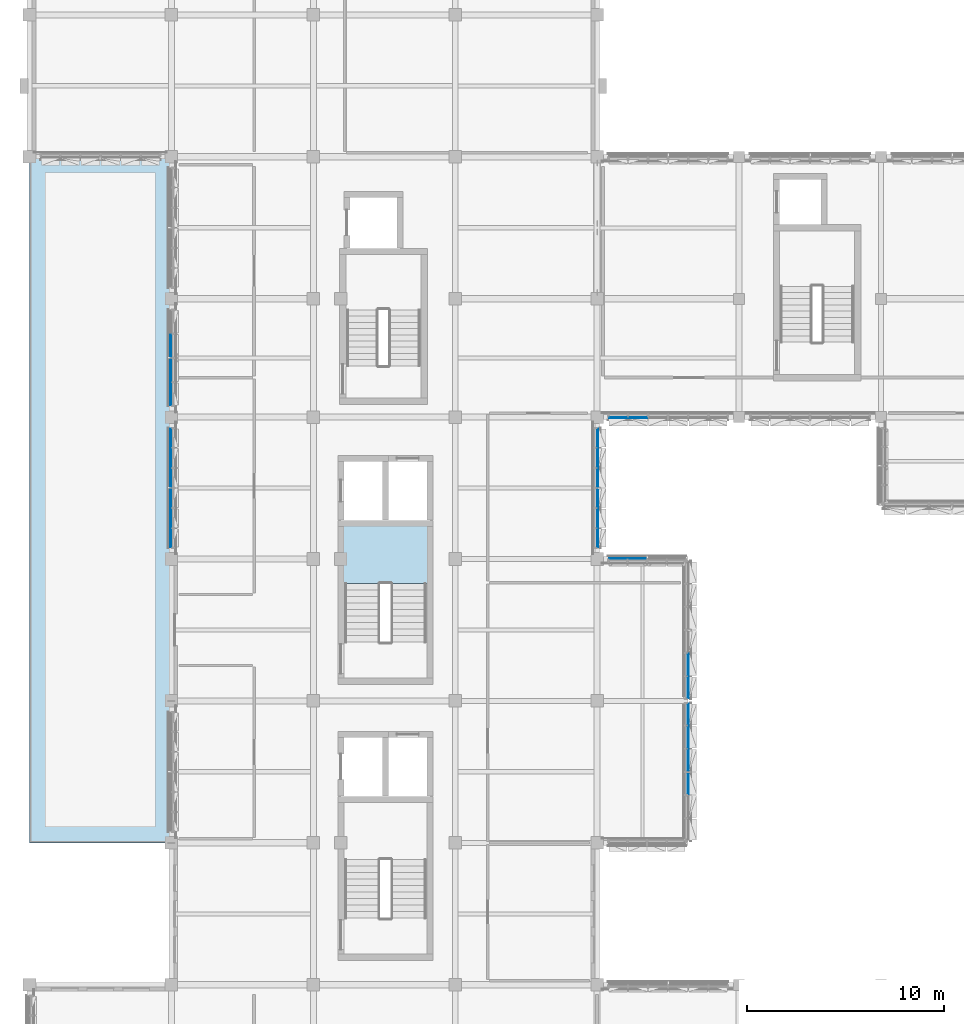
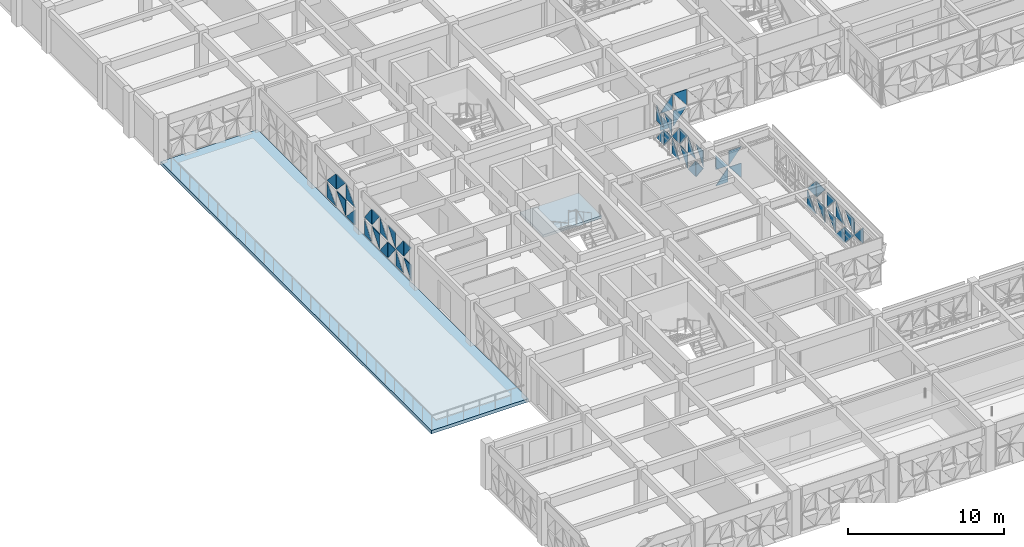
# One storey, part 33 of 85: 49 plates, 2 slabs, 8 elements without a shape of their own.
"""IFC4 building model written with IfcOpenShell, lengths in metres."""

from ifc_helpers import new_model, si_unit, direction, frame, origin, place, context, subcontext, project, spatial, polyline, outline, extrude, material, layer, layer_set, type_object, element, aggregate, save


model = new_model("IFC4")

# Units and contexts
model_context = context("Model", 3, precision=1e-05, world=origin(), true_north=direction((0.0, 1.0)))
body_context = subcontext(model_context, "Body", "Model", "MODEL_VIEW")
ifc_project = project(units=[si_unit("LENGTHUNIT", "METRE"), si_unit("AREAUNIT", "SQUARE_METRE"), si_unit("VOLUMEUNIT", "CUBIC_METRE"), si_unit("PLANEANGLEUNIT", "RADIAN"), si_unit("MASSUNIT", "GRAM", prefix="KILO")], contexts=[model_context])

# Site, building, storey
site_placement = place(None, origin())
site = spatial("IfcSite", under=ifc_project, at=site_placement, CompositionType="ELEMENT")
building_placement = place(site_placement, origin())
building = spatial("IfcBuilding", under=site, at=building_placement, Name="Alvorim Cloister Faculty of Sciences", CompositionType="ELEMENT")
storey_placement = place(building_placement, frame((0.0, 0.0, 8.550048828125)))
storey = spatial("IfcBuildingStorey", under=building, at=storey_placement, Name="L02", CompositionType="ELEMENT", Elevation=8.550048828125)

# Curtain wall, plates
ifc_material_1 = material(Name="Aluminium and Low-E Glass Curtain Wall", Category="aluminium")
curtain_wall_type_1 = type_object("IfcCurtainWallType", Name="CW-TRI-6120x2850", PredefinedType="USERDEFINED", material=ifc_material_1)
curtain_wall_1_placement = place(storey_placement, origin())
curtain_wall_1 = element("IfcCurtainWall", 1, at=curtain_wall_1_placement, inside=storey, type_object=curtain_wall_type_1, Name="L02 Diagonal Cassette Curtain Wall CW-0052", ObjectType="UNITISED CURTAIN WALL", PredefinedType="USERDEFINED")
ifc_material_2 = material(Name="Double Low-E Laminated Glass", Category="glass")
ifc_layer_1 = layer(ifc_material_2, 0.0400390625)
ifc_layer_set_1 = layer_set([ifc_layer_1], Name="Double Low-E Laminated Glass")
plate_type = type_object("IfcPlateType", Name="PN-GLZ-40", PredefinedType="CURTAIN_PANEL", material=ifc_layer_set_1)
plate_1_placement = place(storey_placement, frame((7.175048828125, 36.60498046875, 0.139892578125), z_axis=(0.0, 0.0, 1.0), x_axis=(0.0, 1.0, 0.0)))
plate_1 = element("IfcPlate", 2, at=plate_1_placement, type_object=plate_type, Name="Diagonal Glazed Triangle TRI-TL", PredefinedType="CURTAIN_PANEL", context=body_context, shape_type="SweptSolid", body=[
    extrude(outline(polyline([(0.920654296875, 1.215087890625), (0.0, 1.215087890625), (0.0, 0.001953125), (0.920654296875, 1.215087890625)])), frame((0.0, 0.02490234375, 0.0), z_axis=(0.0, -1.0, 0.0), x_axis=(1.0, 0.0, 0.0)), (0.0, 0.0, 1.0), 0.050048828125),
])
plate_2_placement = place(storey_placement, frame((7.175048828125, 36.60498046875, 1.494873046875), z_axis=(0.0, 0.0, 1.0), x_axis=(0.0, 1.0, 0.0)))
plate_2 = element("IfcPlate", 3, at=plate_2_placement, type_object=plate_type, Name="Diagonal Glazed Triangle TRI-TR", PredefinedType="CURTAIN_PANEL", context=body_context, shape_type="SweptSolid", body=[
    extrude(outline(polyline([(0.922607421875, 0.001953125), (0.922607421875, 1.215087890625), (0.001953125, 1.215087890625), (0.922607421875, 0.001953125)])), frame((0.0, 0.02490234375, 0.0), z_axis=(0.0, -1.0, 0.0), x_axis=(1.0, 0.0, 0.0)), (0.0, 0.0, 1.0), 0.050048828125),
])
plate_3_placement = place(storey_placement, frame((7.175048828125, 37.592529296875, 0.139892578125), z_axis=(0.0, 0.0, 1.0), x_axis=(0.0, 1.0, 0.0)))
plate_3 = element("IfcPlate", 4, at=plate_3_placement, type_object=plate_type, Name="Diagonal Glazed Triangle TRI-BR", PredefinedType="CURTAIN_PANEL", context=body_context, shape_type="SweptSolid", body=[
    extrude(outline(polyline([(0.001953125, 0.0), (0.955078125, 0.0), (0.955078125, 1.213134765625), (0.001953125, 0.0)])), frame((0.0, 0.02490234375, 0.0), z_axis=(0.0, -1.0, 0.0), x_axis=(1.0, 0.0, 0.0)), (0.0, 0.0, 1.0), 0.050048828125),
])
plate_4_placement = place(storey_placement, frame((7.175048828125, 37.592529296875, 1.494873046875), z_axis=(0.0, 0.0, 1.0), x_axis=(0.0, 1.0, 0.0)))
plate_4 = element("IfcPlate", 5, at=plate_4_placement, type_object=plate_type, Name="Diagonal Glazed Triangle TRI-BL", PredefinedType="CURTAIN_PANEL", context=body_context, shape_type="SweptSolid", body=[
    extrude(outline(polyline([(0.0, 0.0), (0.953125, 0.0), (0.0, 1.213134765625), (0.0, 0.0)])), frame((0.0, 0.02490234375, 0.0), z_axis=(0.0, -1.0, 0.0), x_axis=(1.0, 0.0, 0.0)), (0.0, 0.0, 1.0), 0.050048828125),
])
plate_5_placement = place(storey_placement, frame((7.175048828125, 38.612548828125, 0.139892578125), z_axis=(0.0, 0.0, 1.0), x_axis=(0.0, 1.0, 0.0)))
plate_5 = element("IfcPlate", 6, at=plate_5_placement, type_object=plate_type, Name="Diagonal Glazed Triangle TRI-TR", PredefinedType="CURTAIN_PANEL", context=body_context, shape_type="SweptSolid", body=[
    extrude(outline(polyline([(0.955078125, 0.001953125), (0.955078125, 1.215087890625), (0.001953125, 1.215087890625), (0.955078125, 0.001953125)])), frame((0.0, 0.02490234375, 0.0), z_axis=(0.0, -1.0, 0.0), x_axis=(1.0, 0.0, 0.0)), (0.0, 0.0, 1.0), 0.050048828125),
])
plate_6_placement = place(storey_placement, frame((7.175048828125, 38.612548828125, 1.494873046875), z_axis=(0.0, 0.0, 1.0), x_axis=(0.0, 1.0, 0.0)))
plate_6 = element("IfcPlate", 7, at=plate_6_placement, type_object=plate_type, Name="Diagonal Glazed Triangle TRI-TL", PredefinedType="CURTAIN_PANEL", context=body_context, shape_type="SweptSolid", body=[
    extrude(outline(polyline([(0.953125, 1.215087890625), (0.0, 1.215087890625), (0.0, 0.001953125), (0.953125, 1.215087890625)])), frame((0.0, 0.02490234375, 0.0), z_axis=(0.0, -1.0, 0.0), x_axis=(1.0, 0.0, 0.0)), (0.0, 0.0, 1.0), 0.050048828125),
])
plate_7_placement = place(storey_placement, frame((7.175048828125, 39.632568359375, 0.139892578125), z_axis=(0.0, 0.0, 1.0), x_axis=(0.0, 1.0, 0.0)))
plate_7 = element("IfcPlate", 8, at=plate_7_placement, type_object=plate_type, Name="Diagonal Glazed Triangle TRI-BL", PredefinedType="CURTAIN_PANEL", context=body_context, shape_type="SweptSolid", body=[
    extrude(outline(polyline([(0.0, 0.0), (0.953125, 0.0), (0.0, 1.213134765625), (0.0, 0.0)])), frame((0.0, 0.02490234375, 0.0), z_axis=(0.0, -1.0, 0.0), x_axis=(1.0, 0.0, 0.0)), (0.0, 0.0, 1.0), 0.050048828125),
])
plate_8_placement = place(storey_placement, frame((7.175048828125, 39.632568359375, 1.494873046875), z_axis=(0.0, 0.0, 1.0), x_axis=(0.0, 1.0, 0.0)))
plate_8 = element("IfcPlate", 9, at=plate_8_placement, type_object=plate_type, Name="Diagonal Glazed Triangle TRI-BR", PredefinedType="CURTAIN_PANEL", context=body_context, shape_type="SweptSolid", body=[
    extrude(outline(polyline([(0.001953125, 0.0), (0.955078125, 0.0), (0.955078125, 1.213134765625), (0.001953125, 0.0)])), frame((0.0, 0.02490234375, 0.0), z_axis=(0.0, -1.0, 0.0), x_axis=(1.0, 0.0, 0.0)), (0.0, 0.0, 1.0), 0.050048828125),
])
plate_9_placement = place(storey_placement, frame((7.175048828125, 40.652587890625, 0.139892578125), z_axis=(0.0, 0.0, 1.0), x_axis=(0.0, 1.0, 0.0)))
plate_9 = element("IfcPlate", 10, at=plate_9_placement, type_object=plate_type, Name="Diagonal Glazed Triangle TRI-TL", PredefinedType="CURTAIN_PANEL", context=body_context, shape_type="SweptSolid", body=[
    extrude(outline(polyline([(0.953125, 1.215087890625), (0.0, 1.215087890625), (0.0, 0.001953125), (0.953125, 1.215087890625)])), frame((0.0, 0.02490234375, 0.0), z_axis=(0.0, -1.0, 0.0), x_axis=(1.0, 0.0, 0.0)), (0.0, 0.0, 1.0), 0.050048828125),
])
plate_10_placement = place(storey_placement, frame((7.175048828125, 40.652587890625, 1.494873046875), z_axis=(0.0, 0.0, 1.0), x_axis=(0.0, 1.0, 0.0)))
plate_10 = element("IfcPlate", 11, at=plate_10_placement, type_object=plate_type, Name="Diagonal Glazed Triangle TRI-TR", PredefinedType="CURTAIN_PANEL", context=body_context, shape_type="SweptSolid", body=[
    extrude(outline(polyline([(0.955078125, 0.001953125), (0.955078125, 1.215087890625), (0.001953125, 1.215087890625), (0.955078125, 0.001953125)])), frame((0.0, 0.02490234375, 0.0), z_axis=(0.0, -1.0, 0.0), x_axis=(1.0, 0.0, 0.0)), (0.0, 0.0, 1.0), 0.050048828125),
])
plate_11_placement = place(storey_placement, frame((7.175048828125, 41.672607421875, 0.139892578125), z_axis=(0.0, 0.0, 1.0), x_axis=(0.0, 1.0, 0.0)))
plate_11 = element("IfcPlate", 12, at=plate_11_placement, type_object=plate_type, Name="Diagonal Glazed Triangle TRI-BR", PredefinedType="CURTAIN_PANEL", context=body_context, shape_type="SweptSolid", body=[
    extrude(outline(polyline([(0.001953125, 0.0), (0.922607421875, 0.0), (0.922607421875, 1.213134765625), (0.001953125, 0.0)])), frame((0.0, 0.02490234375, 0.0), z_axis=(0.0, -1.0, 0.0), x_axis=(1.0, 0.0, 0.0)), (0.0, 0.0, 1.0), 0.050048828125),
])
plate_12_placement = place(storey_placement, frame((7.175048828125, 41.672607421875, 1.494873046875), z_axis=(0.0, 0.0, 1.0), x_axis=(0.0, 1.0, 0.0)))
plate_12 = element("IfcPlate", 13, at=plate_12_placement, type_object=plate_type, Name="Diagonal Glazed Triangle TRI-BL", PredefinedType="CURTAIN_PANEL", context=body_context, shape_type="SweptSolid", body=[
    extrude(outline(polyline([(0.0, 0.0), (0.920654296875, 0.0), (0.0, 1.213134765625), (0.0, 0.0)])), frame((0.0, 0.02490234375, 0.0), z_axis=(0.0, -1.0, 0.0), x_axis=(1.0, 0.0, 0.0)), (0.0, 0.0, 1.0), 0.050048828125),
])
aggregate(curtain_wall_1, [plate_1, plate_2, plate_3, plate_4, plate_5, plate_6, plate_7, plate_8, plate_9, plate_10, plate_11, plate_12])

curtain_wall_type_2 = type_object("IfcCurtainWallType", Name="CW-TRI-4920x2850", PredefinedType="USERDEFINED", material=ifc_material_1)
curtain_wall_2_placement = place(storey_placement, origin())
curtain_wall_2 = element("IfcCurtainWall", 14, at=curtain_wall_2_placement, inside=storey, type_object=curtain_wall_type_2, Name="L02 Diagonal Cassette Curtain Wall CW-0053", ObjectType="UNITISED CURTAIN WALL", PredefinedType="USERDEFINED")
plate_13_placement = place(storey_placement, frame((7.175048828125, 43.804931640625, 0.139892578125), z_axis=(0.0, 0.0, 1.0), x_axis=(0.0, 1.0, 0.0)))
plate_13 = element("IfcPlate", 15, at=plate_13_placement, type_object=plate_type, Name="Diagonal Glazed Triangle TRI-BL", PredefinedType="CURTAIN_PANEL", context=body_context, shape_type="SweptSolid", body=[
    extrude(outline(polyline([(0.0, 0.0), (1.130615234375, 0.0), (0.0, 1.213134765625), (0.0, 0.0)])), frame((0.0, 0.02490234375, 0.0), z_axis=(0.0, -1.0, 0.0), x_axis=(1.0, 0.0, 0.0)), (0.0, 0.0, 1.0), 0.050048828125),
])
plate_14_placement = place(storey_placement, frame((7.175048828125, 43.804931640625, 1.494873046875), z_axis=(0.0, 0.0, 1.0), x_axis=(0.0, 1.0, 0.0)))
plate_14 = element("IfcPlate", 16, at=plate_14_placement, type_object=plate_type, Name="Diagonal Glazed Triangle TRI-BR", PredefinedType="CURTAIN_PANEL", context=body_context, shape_type="SweptSolid", body=[
    extrude(outline(polyline([(0.001953125, 0.0), (1.132568359375, 0.0), (1.132568359375, 1.213134765625), (0.001953125, 0.0)])), frame((0.0, 0.02490234375, 0.0), z_axis=(0.0, -1.0, 0.0), x_axis=(1.0, 0.0, 0.0)), (0.0, 0.0, 1.0), 0.050048828125),
])
plate_15_placement = place(storey_placement, frame((7.175048828125, 45.00244140625, 0.139892578125), z_axis=(0.0, 0.0, 1.0), x_axis=(0.0, 1.0, 0.0)))
plate_15 = element("IfcPlate", 17, at=plate_15_placement, type_object=plate_type, Name="Diagonal Glazed Triangle TRI-TL", PredefinedType="CURTAIN_PANEL", context=body_context, shape_type="SweptSolid", body=[
    extrude(outline(polyline([(1.1630859375, 1.215087890625), (0.0, 1.215087890625), (0.0, 0.001953125), (1.1630859375, 1.215087890625)])), frame((0.0, 0.02490234375, 0.0), z_axis=(0.0, -1.0, 0.0), x_axis=(1.0, 0.0, 0.0)), (0.0, 0.0, 1.0), 0.050048828125),
])
plate_16_placement = place(storey_placement, frame((7.175048828125, 45.00244140625, 1.494873046875), z_axis=(0.0, 0.0, 1.0), x_axis=(0.0, 1.0, 0.0)))
plate_16 = element("IfcPlate", 18, at=plate_16_placement, type_object=plate_type, Name="Diagonal Glazed Triangle TRI-TR", PredefinedType="CURTAIN_PANEL", context=body_context, shape_type="SweptSolid", body=[
    extrude(outline(polyline([(1.1650390625, 0.001953125), (1.1650390625, 1.215087890625), (0.001953125, 1.215087890625), (1.1650390625, 0.001953125)])), frame((0.0, 0.02490234375, 0.0), z_axis=(0.0, -1.0, 0.0), x_axis=(1.0, 0.0, 0.0)), (0.0, 0.0, 1.0), 0.050048828125),
])
plate_17_placement = place(storey_placement, frame((7.175048828125, 46.232421875, 0.139892578125), z_axis=(0.0, 0.0, 1.0), x_axis=(0.0, 1.0, 0.0)))
plate_17 = element("IfcPlate", 19, at=plate_17_placement, type_object=plate_type, Name="Diagonal Glazed Triangle TRI-BR", PredefinedType="CURTAIN_PANEL", context=body_context, shape_type="SweptSolid", body=[
    extrude(outline(polyline([(0.001953125, 0.0), (1.1650390625, 0.0), (1.1650390625, 1.213134765625), (0.001953125, 0.0)])), frame((0.0, 0.02490234375, 0.0), z_axis=(0.0, -1.0, 0.0), x_axis=(1.0, 0.0, 0.0)), (0.0, 0.0, 1.0), 0.050048828125),
])
plate_18_placement = place(storey_placement, frame((7.175048828125, 46.232421875, 1.494873046875), z_axis=(0.0, 0.0, 1.0), x_axis=(0.0, 1.0, 0.0)))
plate_18 = element("IfcPlate", 20, at=plate_18_placement, type_object=plate_type, Name="Diagonal Glazed Triangle TRI-BL", PredefinedType="CURTAIN_PANEL", context=body_context, shape_type="SweptSolid", body=[
    extrude(outline(polyline([(0.0, 0.0), (1.1630859375, 0.0), (0.0, 1.213134765625), (0.0, 0.0)])), frame((0.0, 0.02490234375, 0.0), z_axis=(0.0, -1.0, 0.0), x_axis=(1.0, 0.0, 0.0)), (0.0, 0.0, 1.0), 0.050048828125),
])
aggregate(curtain_wall_2, [plate_13, plate_14, plate_15, plate_16, plate_17, plate_18])

curtain_wall_3_placement = place(storey_placement, origin())
curtain_wall_3 = element("IfcCurtainWall", 21, at=curtain_wall_3_placement, inside=storey, type_object=curtain_wall_type_1, Name="L02 Diagonal Cassette Curtain Wall CW-0069", ObjectType="UNITISED CURTAIN WALL", PredefinedType="USERDEFINED")
plate_19_placement = place(storey_placement, frame((29.405029296875, 43.175048828125, 0.139892578125), z_axis=(0.0, 0.0, 1.0), x_axis=(1.0, 0.0, 0.0)))
plate_19 = element("IfcPlate", 22, at=plate_19_placement, type_object=plate_type, Name="Diagonal Glazed Triangle TRI-BL", PredefinedType="CURTAIN_PANEL", context=body_context, shape_type="SweptSolid", body=[
    extrude(outline(polyline([(0.0, 0.0), (0.920654296875, 0.0), (0.0, 1.213134765625), (0.0, 0.0)])), frame((0.0, 0.02490234375, 0.0), z_axis=(0.0, -1.0, 0.0), x_axis=(1.0, 0.0, 0.0)), (0.0, 0.0, 1.0), 0.050048828125),
])
plate_20_placement = place(storey_placement, frame((29.405029296875, 43.175048828125, 1.494873046875), z_axis=(0.0, 0.0, 1.0), x_axis=(1.0, 0.0, 0.0)))
plate_20 = element("IfcPlate", 23, at=plate_20_placement, type_object=plate_type, Name="Diagonal Glazed Triangle TRI-BR", PredefinedType="CURTAIN_PANEL", context=body_context, shape_type="SweptSolid", body=[
    extrude(outline(polyline([(0.001953125, 0.0), (0.922607421875, 0.0), (0.922607421875, 1.213134765625), (0.001953125, 0.0)])), frame((0.0, 0.02490234375, 0.0), z_axis=(0.0, -1.0, 0.0), x_axis=(1.0, 0.0, 0.0)), (0.0, 0.0, 1.0), 0.050048828125),
])
plate_21_placement = place(storey_placement, frame((30.392578125, 43.175048828125, 0.139892578125), z_axis=(0.0, 0.0, 1.0), x_axis=(1.0, 0.0, 0.0)))
plate_21 = element("IfcPlate", 24, at=plate_21_placement, type_object=plate_type, Name="Diagonal Glazed Triangle TRI-TL", PredefinedType="CURTAIN_PANEL", context=body_context, shape_type="SweptSolid", body=[
    extrude(outline(polyline([(0.953125, 1.215087890625), (0.0, 1.215087890625), (0.0, 0.001953125), (0.953125, 1.215087890625)])), frame((0.0, 0.02490234375, 0.0), z_axis=(0.0, -1.0, 0.0), x_axis=(1.0, 0.0, 0.0)), (0.0, 0.0, 1.0), 0.050048828125),
])
plate_22_placement = place(storey_placement, frame((30.392578125, 43.175048828125, 1.494873046875), z_axis=(0.0, 0.0, 1.0), x_axis=(1.0, 0.0, 0.0)))
plate_22 = element("IfcPlate", 25, at=plate_22_placement, type_object=plate_type, Name="Diagonal Glazed Triangle TRI-TR", PredefinedType="CURTAIN_PANEL", context=body_context, shape_type="SweptSolid", body=[
    extrude(outline(polyline([(0.955078125, 0.001953125), (0.955078125, 1.215087890625), (0.001953125, 1.215087890625), (0.955078125, 0.001953125)])), frame((0.0, 0.02490234375, 0.0), z_axis=(0.0, -1.0, 0.0), x_axis=(1.0, 0.0, 0.0)), (0.0, 0.0, 1.0), 0.050048828125),
])
aggregate(curtain_wall_3, [plate_19, plate_20, plate_21, plate_22])

curtain_wall_4_placement = place(storey_placement, origin())
curtain_wall_4 = element("IfcCurtainWall", 26, at=curtain_wall_4_placement, inside=storey, type_object=curtain_wall_type_1, Name="L02 Diagonal Cassette Curtain Wall CW-0070", ObjectType="UNITISED CURTAIN WALL", PredefinedType="USERDEFINED")
plate_23_placement = place(storey_placement, frame((28.824951171875, 36.60498046875, 0.139892578125), z_axis=(0.0, 0.0, 1.0), x_axis=(0.0, 1.0, 0.0)))
plate_23 = element("IfcPlate", 27, at=plate_23_placement, type_object=plate_type, Name="Diagonal Glazed Triangle TRI-TR", PredefinedType="CURTAIN_PANEL", context=body_context, shape_type="SweptSolid", body=[
    extrude(outline(polyline([(0.922607421875, 0.001953125), (0.922607421875, 1.215087890625), (0.001953125, 1.215087890625), (0.922607421875, 0.001953125)])), frame((0.0, 0.02490234375, 0.0), z_axis=(0.0, -1.0, 0.0), x_axis=(1.0, 0.0, 0.0)), (0.0, 0.0, 1.0), 0.050048828125),
])
plate_24_placement = place(storey_placement, frame((28.824951171875, 36.60498046875, 1.494873046875), z_axis=(0.0, 0.0, 1.0), x_axis=(0.0, 1.0, 0.0)))
plate_24 = element("IfcPlate", 28, at=plate_24_placement, type_object=plate_type, Name="Diagonal Glazed Triangle TRI-TL", PredefinedType="CURTAIN_PANEL", context=body_context, shape_type="SweptSolid", body=[
    extrude(outline(polyline([(0.920654296875, 1.215087890625), (0.0, 1.215087890625), (0.0, 0.001953125), (0.920654296875, 1.215087890625)])), frame((0.0, 0.02490234375, 0.0), z_axis=(0.0, -1.0, 0.0), x_axis=(1.0, 0.0, 0.0)), (0.0, 0.0, 1.0), 0.050048828125),
])
plate_25_placement = place(storey_placement, frame((28.824951171875, 37.592529296875, 0.139892578125), z_axis=(0.0, 0.0, 1.0), x_axis=(0.0, 1.0, 0.0)))
plate_25 = element("IfcPlate", 29, at=plate_25_placement, type_object=plate_type, Name="Diagonal Glazed Triangle TRI-BL", PredefinedType="CURTAIN_PANEL", context=body_context, shape_type="SweptSolid", body=[
    extrude(outline(polyline([(0.0, 0.0), (0.953125, 0.0), (0.0, 1.213134765625), (0.0, 0.0)])), frame((0.0, 0.02490234375, 0.0), z_axis=(0.0, -1.0, 0.0), x_axis=(1.0, 0.0, 0.0)), (0.0, 0.0, 1.0), 0.050048828125),
])
plate_26_placement = place(storey_placement, frame((28.824951171875, 37.592529296875, 1.494873046875), z_axis=(0.0, 0.0, 1.0), x_axis=(0.0, 1.0, 0.0)))
plate_26 = element("IfcPlate", 30, at=plate_26_placement, type_object=plate_type, Name="Diagonal Glazed Triangle TRI-BR", PredefinedType="CURTAIN_PANEL", context=body_context, shape_type="SweptSolid", body=[
    extrude(outline(polyline([(0.001953125, 0.0), (0.955078125, 0.0), (0.955078125, 1.213134765625), (0.001953125, 0.0)])), frame((0.0, 0.02490234375, 0.0), z_axis=(0.0, -1.0, 0.0), x_axis=(1.0, 0.0, 0.0)), (0.0, 0.0, 1.0), 0.050048828125),
])
plate_27_placement = place(storey_placement, frame((28.824951171875, 38.612548828125, 0.139892578125), z_axis=(0.0, 0.0, 1.0), x_axis=(0.0, 1.0, 0.0)))
plate_27 = element("IfcPlate", 31, at=plate_27_placement, type_object=plate_type, Name="Diagonal Glazed Triangle TRI-TL", PredefinedType="CURTAIN_PANEL", context=body_context, shape_type="SweptSolid", body=[
    extrude(outline(polyline([(0.953125, 1.215087890625), (0.0, 1.215087890625), (0.0, 0.001953125), (0.953125, 1.215087890625)])), frame((0.0, 0.02490234375, 0.0), z_axis=(0.0, -1.0, 0.0), x_axis=(1.0, 0.0, 0.0)), (0.0, 0.0, 1.0), 0.050048828125),
])
plate_28_placement = place(storey_placement, frame((28.824951171875, 38.612548828125, 1.494873046875), z_axis=(0.0, 0.0, 1.0), x_axis=(0.0, 1.0, 0.0)))
plate_28 = element("IfcPlate", 32, at=plate_28_placement, type_object=plate_type, Name="Diagonal Glazed Triangle TRI-TR", PredefinedType="CURTAIN_PANEL", context=body_context, shape_type="SweptSolid", body=[
    extrude(outline(polyline([(0.955078125, 0.001953125), (0.955078125, 1.215087890625), (0.001953125, 1.215087890625), (0.955078125, 0.001953125)])), frame((0.0, 0.02490234375, 0.0), z_axis=(0.0, -1.0, 0.0), x_axis=(1.0, 0.0, 0.0)), (0.0, 0.0, 1.0), 0.050048828125),
])
plate_29_placement = place(storey_placement, frame((28.824951171875, 39.632568359375, 0.139892578125), z_axis=(0.0, 0.0, 1.0), x_axis=(0.0, 1.0, 0.0)))
plate_29 = element("IfcPlate", 33, at=plate_29_placement, type_object=plate_type, Name="Diagonal Glazed Triangle TRI-BR", PredefinedType="CURTAIN_PANEL", context=body_context, shape_type="SweptSolid", body=[
    extrude(outline(polyline([(0.001953125, 0.0), (0.955078125, 0.0), (0.955078125, 1.213134765625), (0.001953125, 0.0)])), frame((0.0, 0.02490234375, 0.0), z_axis=(0.0, -1.0, 0.0), x_axis=(1.0, 0.0, 0.0)), (0.0, 0.0, 1.0), 0.050048828125),
])
plate_30_placement = place(storey_placement, frame((28.824951171875, 39.632568359375, 1.494873046875), z_axis=(0.0, 0.0, 1.0), x_axis=(0.0, 1.0, 0.0)))
plate_30 = element("IfcPlate", 34, at=plate_30_placement, type_object=plate_type, Name="Diagonal Glazed Triangle TRI-BL", PredefinedType="CURTAIN_PANEL", context=body_context, shape_type="SweptSolid", body=[
    extrude(outline(polyline([(0.0, 0.0), (0.953125, 0.0), (0.0, 1.213134765625), (0.0, 0.0)])), frame((0.0, 0.02490234375, 0.0), z_axis=(0.0, -1.0, 0.0), x_axis=(1.0, 0.0, 0.0)), (0.0, 0.0, 1.0), 0.050048828125),
])
plate_31_placement = place(storey_placement, frame((28.824951171875, 40.652587890625, 0.139892578125), z_axis=(0.0, 0.0, 1.0), x_axis=(0.0, 1.0, 0.0)))
plate_31 = element("IfcPlate", 35, at=plate_31_placement, type_object=plate_type, Name="Diagonal Glazed Triangle TRI-TR", PredefinedType="CURTAIN_PANEL", context=body_context, shape_type="SweptSolid", body=[
    extrude(outline(polyline([(0.955078125, 0.001953125), (0.955078125, 1.215087890625), (0.001953125, 1.215087890625), (0.955078125, 0.001953125)])), frame((0.0, 0.02490234375, 0.0), z_axis=(0.0, -1.0, 0.0), x_axis=(1.0, 0.0, 0.0)), (0.0, 0.0, 1.0), 0.050048828125),
])
plate_32_placement = place(storey_placement, frame((28.824951171875, 40.652587890625, 1.494873046875), z_axis=(0.0, 0.0, 1.0), x_axis=(0.0, 1.0, 0.0)))
plate_32 = element("IfcPlate", 36, at=plate_32_placement, type_object=plate_type, Name="Diagonal Glazed Triangle TRI-TL", PredefinedType="CURTAIN_PANEL", context=body_context, shape_type="SweptSolid", body=[
    extrude(outline(polyline([(0.953125, 1.215087890625), (0.0, 1.215087890625), (0.0, 0.001953125), (0.953125, 1.215087890625)])), frame((0.0, 0.02490234375, 0.0), z_axis=(0.0, -1.0, 0.0), x_axis=(1.0, 0.0, 0.0)), (0.0, 0.0, 1.0), 0.050048828125),
])
plate_33_placement = place(storey_placement, frame((28.824951171875, 41.672607421875, 0.139892578125), z_axis=(0.0, 0.0, 1.0), x_axis=(0.0, 1.0, 0.0)))
plate_33 = element("IfcPlate", 37, at=plate_33_placement, type_object=plate_type, Name="Diagonal Glazed Triangle TRI-BL", PredefinedType="CURTAIN_PANEL", context=body_context, shape_type="SweptSolid", body=[
    extrude(outline(polyline([(0.0, 0.0), (0.920654296875, 0.0), (0.0, 1.213134765625), (0.0, 0.0)])), frame((0.0, 0.02490234375, 0.0), z_axis=(0.0, -1.0, 0.0), x_axis=(1.0, 0.0, 0.0)), (0.0, 0.0, 1.0), 0.050048828125),
])
plate_34_placement = place(storey_placement, frame((28.824951171875, 41.672607421875, 1.494873046875), z_axis=(0.0, 0.0, 1.0), x_axis=(0.0, 1.0, 0.0)))
plate_34 = element("IfcPlate", 38, at=plate_34_placement, type_object=plate_type, Name="Diagonal Glazed Triangle TRI-BR", PredefinedType="CURTAIN_PANEL", context=body_context, shape_type="SweptSolid", body=[
    extrude(outline(polyline([(0.001953125, 0.0), (0.922607421875, 0.0), (0.922607421875, 1.213134765625), (0.001953125, 0.0)])), frame((0.0, 0.02490234375, 0.0), z_axis=(0.0, -1.0, 0.0), x_axis=(1.0, 0.0, 0.0)), (0.0, 0.0, 1.0), 0.050048828125),
])
aggregate(curtain_wall_4, [plate_23, plate_24, plate_25, plate_26, plate_27, plate_28, plate_29, plate_30, plate_31, plate_32, plate_33, plate_34])

curtain_wall_type_3 = type_object("IfcCurtainWallType", Name="CW-TRI-3980x2706", PredefinedType="USERDEFINED", material=ifc_material_1)
curtain_wall_5_placement = place(storey_placement, origin())
curtain_wall_5 = element("IfcCurtainWall", 39, at=curtain_wall_5_placement, inside=storey, type_object=curtain_wall_type_3, Name="L02 Diagonal Cassette Curtain Wall CW-0071", ObjectType="UNITISED CURTAIN WALL", PredefinedType="USERDEFINED")
plate_35_placement = place(storey_placement, frame((29.405029296875, 36.02490234375, 0.139892578125), z_axis=(0.0, 0.0, 1.0), x_axis=(1.0, 0.0, 0.0)))
plate_35 = element("IfcPlate", 40, at=plate_35_placement, type_object=plate_type, Name="Diagonal Glazed Triangle TRI-BR", PredefinedType="CURTAIN_PANEL", context=body_context, shape_type="SweptSolid", body=[
    extrude(outline(polyline([(0.001953125, 0.0), (0.8974609375, 0.0), (0.8974609375, 1.14111328125), (0.001953125, 0.0)])), frame((0.0, 0.02490234375, 0.0), z_axis=(0.0, -1.0, 0.0), x_axis=(1.0, 0.0, 0.0)), (0.0, 0.0, 1.0), 0.050048828125),
])
plate_36_placement = place(storey_placement, frame((29.405029296875, 36.02490234375, 1.4228515625), z_axis=(0.0, 0.0, 1.0), x_axis=(1.0, 0.0, 0.0)))
plate_36 = element("IfcPlate", 41, at=plate_36_placement, type_object=plate_type, Name="Diagonal Glazed Triangle TRI-BL", PredefinedType="CURTAIN_PANEL", context=body_context, shape_type="SweptSolid", body=[
    extrude(outline(polyline([(0.0, 0.0), (0.8955078125, 0.0), (0.0, 1.14111328125), (0.0, 0.0)])), frame((0.0, 0.02490234375, 0.0), z_axis=(0.0, -1.0, 0.0), x_axis=(1.0, 0.0, 0.0)), (0.0, 0.0, 1.0), 0.050048828125),
])
plate_37_placement = place(storey_placement, frame((30.367431640625, 36.02490234375, 0.139892578125), z_axis=(0.0, 0.0, 1.0), x_axis=(1.0, 0.0, 0.0)))
plate_37 = element("IfcPlate", 42, at=plate_37_placement, type_object=plate_type, Name="Diagonal Glazed Triangle TRI-TR", PredefinedType="CURTAIN_PANEL", context=body_context, shape_type="SweptSolid", body=[
    extrude(outline(polyline([(0.929931640625, 0.001953125), (0.929931640625, 1.14306640625), (0.001953125, 1.14306640625), (0.929931640625, 0.001953125)])), frame((0.0, 0.02490234375, 0.0), z_axis=(0.0, -1.0, 0.0), x_axis=(1.0, 0.0, 0.0)), (0.0, 0.0, 1.0), 0.050048828125),
])
plate_38_placement = place(storey_placement, frame((30.367431640625, 36.02490234375, 1.4228515625), z_axis=(0.0, 0.0, 1.0), x_axis=(1.0, 0.0, 0.0)))
plate_38 = element("IfcPlate", 43, at=plate_38_placement, type_object=plate_type, Name="Diagonal Glazed Triangle TRI-TL", PredefinedType="CURTAIN_PANEL", context=body_context, shape_type="SweptSolid", body=[
    extrude(outline(polyline([(0.927978515625, 1.14306640625), (0.0, 1.14306640625), (0.0, 0.001953125), (0.927978515625, 1.14306640625)])), frame((0.0, 0.02490234375, 0.0), z_axis=(0.0, -1.0, 0.0), x_axis=(1.0, 0.0, 0.0)), (0.0, 0.0, 1.0), 0.050048828125),
])
aggregate(curtain_wall_5, [plate_35, plate_36, plate_37, plate_38])

curtain_wall_type_4 = type_object("IfcCurtainWallType", Name="CW-TRI-7040x2857", PredefinedType="USERDEFINED", material=ifc_material_1)
curtain_wall_6_placement = place(storey_placement, origin())
curtain_wall_6 = element("IfcCurtainWall", 44, at=curtain_wall_6_placement, inside=storey, type_object=curtain_wall_type_4, Name="L02 Diagonal Cassette Curtain Wall CW-0072", ObjectType="UNITISED CURTAIN WALL", PredefinedType="USERDEFINED")
plate_39_placement = place(storey_placement, frame((33.425048828125, 28.945068359375, 0.139892578125), z_axis=(0.0, 0.0, 1.0), x_axis=(0.0, 1.0, 0.0)))
plate_39 = element("IfcPlate", 45, at=plate_39_placement, type_object=plate_type, Name="Diagonal Glazed Triangle TRI-TL", PredefinedType="CURTAIN_PANEL", context=body_context, shape_type="SweptSolid", body=[
    extrude(outline(polyline([(1.073974609375, 1.218505859375), (0.0, 1.218505859375), (0.0, 0.001953125), (1.073974609375, 1.218505859375)])), frame((0.0, 0.02490234375, 0.0), z_axis=(0.0, -1.0, 0.0), x_axis=(1.0, 0.0, 0.0)), (0.0, 0.0, 1.0), 0.050048828125),
])
plate_40_placement = place(storey_placement, frame((33.425048828125, 28.945068359375, 1.49853515625), z_axis=(0.0, 0.0, 1.0), x_axis=(0.0, 1.0, 0.0)))
plate_40 = element("IfcPlate", 46, at=plate_40_placement, type_object=plate_type, Name="Diagonal Glazed Triangle TRI-TR", PredefinedType="CURTAIN_PANEL", context=body_context, shape_type="SweptSolid", body=[
    extrude(outline(polyline([(1.075927734375, 0.001953125), (1.075927734375, 1.218505859375), (0.001953125, 1.218505859375), (1.075927734375, 0.001953125)])), frame((0.0, 0.02490234375, 0.0), z_axis=(0.0, -1.0, 0.0), x_axis=(1.0, 0.0, 0.0)), (0.0, 0.0, 1.0), 0.050048828125),
])
plate_41_placement = place(storey_placement, frame((33.425048828125, 30.0859375, 0.139892578125), z_axis=(0.0, 0.0, 1.0), x_axis=(0.0, 1.0, 0.0)))
plate_41 = element("IfcPlate", 47, at=plate_41_placement, type_object=plate_type, Name="Diagonal Glazed Triangle TRI-BR", PredefinedType="CURTAIN_PANEL", context=body_context, shape_type="SweptSolid", body=[
    extrude(outline(polyline([(0.001953125, 0.0), (1.1083984375, 0.0), (1.1083984375, 1.216552734375), (0.001953125, 0.0)])), frame((0.0, 0.02490234375, 0.0), z_axis=(0.0, -1.0, 0.0), x_axis=(1.0, 0.0, 0.0)), (0.0, 0.0, 1.0), 0.050048828125),
])
plate_42_placement = place(storey_placement, frame((33.425048828125, 30.0859375, 1.49853515625), z_axis=(0.0, 0.0, 1.0), x_axis=(0.0, 1.0, 0.0)))
plate_42 = element("IfcPlate", 48, at=plate_42_placement, type_object=plate_type, Name="Diagonal Glazed Triangle TRI-BL", PredefinedType="CURTAIN_PANEL", context=body_context, shape_type="SweptSolid", body=[
    extrude(outline(polyline([(0.0, 0.0), (1.1064453125, 0.0), (0.0, 1.216552734375), (0.0, 0.0)])), frame((0.0, 0.02490234375, 0.0), z_axis=(0.0, -1.0, 0.0), x_axis=(1.0, 0.0, 0.0)), (0.0, 0.0, 1.0), 0.050048828125),
])
aggregate(curtain_wall_6, [plate_39, plate_40, plate_41, plate_42])

curtain_wall_7_placement = place(storey_placement, origin())
curtain_wall_7 = element("IfcCurtainWall", 49, at=curtain_wall_7_placement, inside=storey, type_object=curtain_wall_type_4, Name="L02 Diagonal Cassette Curtain Wall CW-0073", ObjectType="UNITISED CURTAIN WALL", PredefinedType="USERDEFINED")
plate_43_placement = place(storey_placement, frame((33.425048828125, 24.05908203125, 1.49853515625), z_axis=(0.0, 0.0, 1.0), x_axis=(0.0, 1.0, 0.0)))
plate_43 = element("IfcPlate", 50, at=plate_43_placement, type_object=plate_type, Name="Diagonal Glazed Triangle TRI-BL", PredefinedType="CURTAIN_PANEL", context=body_context, shape_type="SweptSolid", body=[
    extrude(outline(polyline([(0.0, 0.0), (1.1064453125, 0.0), (0.0, 1.216552734375), (0.0, 0.0)])), frame((0.0, 0.02490234375, 0.0), z_axis=(0.0, -1.0, 0.0), x_axis=(1.0, 0.0, 0.0)), (0.0, 0.0, 1.0), 0.050048828125),
])
plate_44_placement = place(storey_placement, frame((33.425048828125, 25.232421875, 0.139892578125), z_axis=(0.0, 0.0, 1.0), x_axis=(0.0, 1.0, 0.0)))
plate_44 = element("IfcPlate", 51, at=plate_44_placement, type_object=plate_type, Name="Diagonal Glazed Triangle TRI-TR", PredefinedType="CURTAIN_PANEL", context=body_context, shape_type="SweptSolid", body=[
    extrude(outline(polyline([(1.1083984375, 0.001953125), (1.1083984375, 1.218505859375), (0.001953125, 1.218505859375), (1.1083984375, 0.001953125)])), frame((0.0, 0.02490234375, 0.0), z_axis=(0.0, -1.0, 0.0), x_axis=(1.0, 0.0, 0.0)), (0.0, 0.0, 1.0), 0.050048828125),
])
plate_45_placement = place(storey_placement, frame((33.425048828125, 25.232421875, 1.49853515625), z_axis=(0.0, 0.0, 1.0), x_axis=(0.0, 1.0, 0.0)))
plate_45 = element("IfcPlate", 52, at=plate_45_placement, type_object=plate_type, Name="Diagonal Glazed Triangle TRI-TL", PredefinedType="CURTAIN_PANEL", context=body_context, shape_type="SweptSolid", body=[
    extrude(outline(polyline([(1.1064453125, 1.218505859375), (0.0, 1.218505859375), (0.0, 0.001953125), (1.1064453125, 1.218505859375)])), frame((0.0, 0.02490234375, 0.0), z_axis=(0.0, -1.0, 0.0), x_axis=(1.0, 0.0, 0.0)), (0.0, 0.0, 1.0), 0.050048828125),
])
plate_46_placement = place(storey_placement, frame((33.425048828125, 26.40576171875, 0.139892578125), z_axis=(0.0, 0.0, 1.0), x_axis=(0.0, 1.0, 0.0)))
plate_46 = element("IfcPlate", 53, at=plate_46_placement, type_object=plate_type, Name="Diagonal Glazed Triangle TRI-BL", PredefinedType="CURTAIN_PANEL", context=body_context, shape_type="SweptSolid", body=[
    extrude(outline(polyline([(0.0, 0.0), (1.1064453125, 0.0), (0.0, 1.216552734375), (0.0, 0.0)])), frame((0.0, 0.02490234375, 0.0), z_axis=(0.0, -1.0, 0.0), x_axis=(1.0, 0.0, 0.0)), (0.0, 0.0, 1.0), 0.050048828125),
])
plate_47_placement = place(storey_placement, frame((33.425048828125, 26.40576171875, 1.49853515625), z_axis=(0.0, 0.0, 1.0), x_axis=(0.0, 1.0, 0.0)))
plate_47 = element("IfcPlate", 54, at=plate_47_placement, type_object=plate_type, Name="Diagonal Glazed Triangle TRI-BR", PredefinedType="CURTAIN_PANEL", context=body_context, shape_type="SweptSolid", body=[
    extrude(outline(polyline([(0.001953125, 0.0), (1.1083984375, 0.0), (1.1083984375, 1.216552734375), (0.001953125, 0.0)])), frame((0.0, 0.02490234375, 0.0), z_axis=(0.0, -1.0, 0.0), x_axis=(1.0, 0.0, 0.0)), (0.0, 0.0, 1.0), 0.050048828125),
])
plate_48_placement = place(storey_placement, frame((33.425048828125, 27.5791015625, 0.139892578125), z_axis=(0.0, 0.0, 1.0), x_axis=(0.0, 1.0, 0.0)))
plate_48 = element("IfcPlate", 55, at=plate_48_placement, type_object=plate_type, Name="Diagonal Glazed Triangle TRI-TL", PredefinedType="CURTAIN_PANEL", context=body_context, shape_type="SweptSolid", body=[
    extrude(outline(polyline([(1.073974609375, 1.218505859375), (0.0, 1.218505859375), (0.0, 0.001953125), (1.073974609375, 1.218505859375)])), frame((0.0, 0.02490234375, 0.0), z_axis=(0.0, -1.0, 0.0), x_axis=(1.0, 0.0, 0.0)), (0.0, 0.0, 1.0), 0.050048828125),
])
plate_49_placement = place(storey_placement, frame((33.425048828125, 27.5791015625, 1.49853515625), z_axis=(0.0, 0.0, 1.0), x_axis=(0.0, 1.0, 0.0)))
plate_49 = element("IfcPlate", 56, at=plate_49_placement, type_object=plate_type, Name="Diagonal Glazed Triangle TRI-TR", PredefinedType="CURTAIN_PANEL", context=body_context, shape_type="SweptSolid", body=[
    extrude(outline(polyline([(1.075927734375, 0.001953125), (1.075927734375, 1.218505859375), (0.001953125, 1.218505859375), (1.075927734375, 0.001953125)])), frame((0.0, 0.02490234375, 0.0), z_axis=(0.0, -1.0, 0.0), x_axis=(1.0, 0.0, 0.0)), (0.0, 0.0, 1.0), 0.050048828125),
])
aggregate(curtain_wall_7, [plate_43, plate_44, plate_45, plate_46, plate_47, plate_48, plate_49])

# Stair, slab
ifc_material_3 = material(Name="Concrete C40", Category="concrete")
stair_type = type_object("IfcStairType", Name="STR-ST-02-1780x3600", PredefinedType="HALF_TURN_STAIR", material=ifc_material_3)
stair_placement = place(storey_placement, origin())
stair = element("IfcStair", 57, at=stair_placement, inside=storey, type_object=stair_type, Name="L02 Enclosed Smoke-Proof Stair ST-02", PredefinedType="HALF_TURN_STAIR")
ifc_layer_2 = layer(ifc_material_3, 0.199951171875)
ifc_layer_set_2 = layer_set([ifc_layer_2], Name="Concrete C40")
slab_type_1 = type_object("IfcSlabType", Name="SL-LAND-200", PredefinedType="LANDING", material=ifc_layer_set_2)
slab_1_placement = place(storey_placement, frame((0.0, 0.0, 1.599853515625)))
slab_1 = element("IfcSlab", 58, at=slab_1_placement, type_object=slab_type_1, Name="ST-02 landing 1", PredefinedType="LANDING", context=body_context, shape_type="SweptSolid", body=[
    extrude(outline(polyline([(20.239990234375, 34.75), (20.239990234375, 37.719970703125), (15.8798828125, 37.719970703125), (15.8798828125, 34.75), (20.239990234375, 34.75)])), origin(), (0.0, 0.0, 1.0), 0.2001953125),
])
aggregate(stair, [slab_1])

# Slab
ifc_layer_3 = layer(ifc_material_3, 0.260009765625)
ifc_layer_set_3 = layer_set([ifc_layer_3], Name="Concrete C40")
slab_type_2 = type_object("IfcSlabType", Name="SL-TER-260", PredefinedType="USERDEFINED", material=ifc_layer_set_3)
slab_2_placement = place(storey_placement, frame((0.0, 0.0, -0.260009765625)))
element("IfcSlab", 59, at=slab_2_placement, inside=storey, type_object=slab_type_2, Name="L02 West Colonnade Stepped Roof Terrace", ObjectType="TERRACE DECK", PredefinedType="USERDEFINED", context=body_context, shape_type="SweptSolid", body=[
    extrude(outline(polyline([(0.0, 21.60009765625), (0.0, 56.385009765625), (7.18505859375, 56.385009765625), (7.18505859375, 21.60009765625), (0.0, 21.60009765625)])), origin(), (0.0, 0.0, 1.0), 0.260009765625),
])

save(model, "model.ifc")
